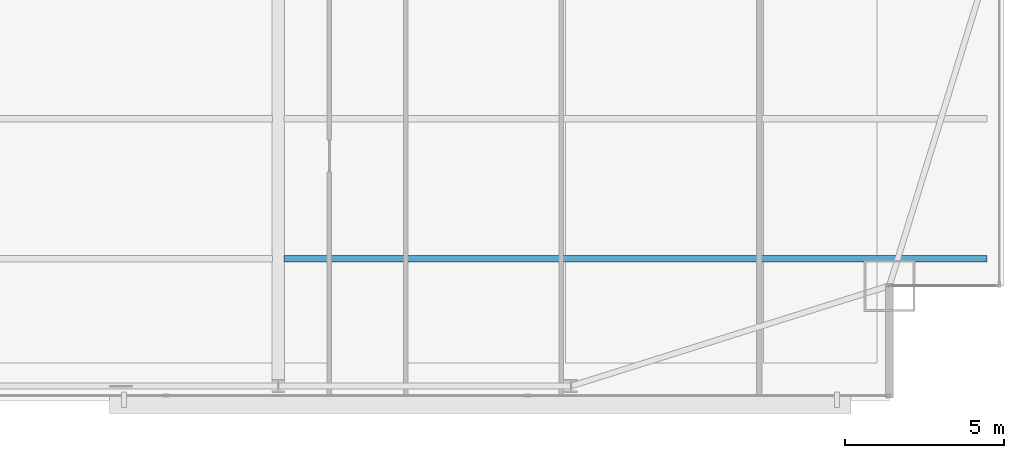
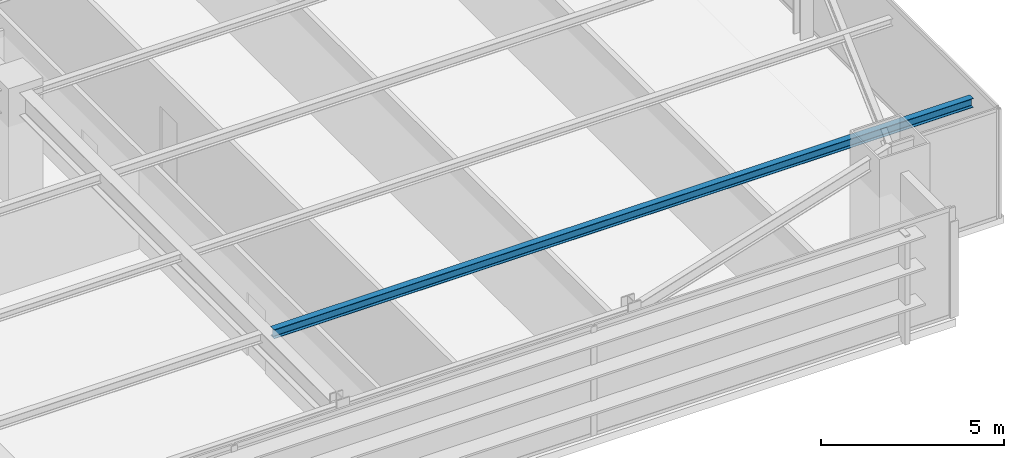
# One storey, part 15 of 32: 1 beam.
"""IFC4 building model written with IfcOpenShell, lengths in metres."""

from ifc_helpers import new_model, si_unit, direction, frame, origin, origin_2d, place, context, subcontext, project, spatial, i_section, extrude, source, transform, mapped, material, material_profile, profile_set, type_object, type_shapes, element, save


model = new_model("IFC4")

# Units and contexts
model_context = context("Model", 3, precision=1e-05, world=origin(), true_north=direction((0.0, 1.0)))
body_context = subcontext(model_context, "Body", "Model", "MODEL_VIEW")
ifc_project = project(units=[si_unit("LENGTHUNIT", "METRE"), si_unit("AREAUNIT", "SQUARE_METRE"), si_unit("VOLUMEUNIT", "CUBIC_METRE"), si_unit("PLANEANGLEUNIT", "RADIAN"), si_unit("MASSUNIT", "GRAM", prefix="KILO")], contexts=[model_context])

# Site, building, storey
site_placement = place(None, origin())
site = spatial("IfcSite", under=ifc_project, at=site_placement, CompositionType="ELEMENT")
building_placement = place(site_placement, origin())
building = spatial("IfcBuilding", under=site, at=building_placement, Name="Varnel Quay Broadcast Tower", CompositionType="ELEMENT")
storey_placement = place(building_placement, frame((0.0, 0.0, 70.5)))
storey = spatial("IfcBuildingStorey", under=building, at=storey_placement, Name="L16", CompositionType="ELEMENT", Elevation=70.5)

# Beam
ifc_material = material(Name="Structural Steel CSA G40.21 350W", Category="steel")
ifc_material_profile = material_profile(ifc_material, i_section(OverallWidth=0.202880859375, OverallDepth=0.302978515625, WebThickness=0.007568359375, FlangeThickness=0.01318359375, FilletRadius=0.011962890625, at=origin_2d()), Name="W310X60")
ifc_profile_set = profile_set([ifc_material_profile], Name="Structural Steel CSA G40.21 350W")
beam_type = type_object("IfcBeamType", Name="Beam_W310X60", PredefinedType="JOIST", material=ifc_profile_set)
shared_shape = source(origin(), body_context, "Body", "SweptSolid", [
    extrude(i_section(OverallWidth=0.202880859375, OverallDepth=0.302978515625, WebThickness=0.007568359375, FlangeThickness=0.01318359375, FilletRadius=0.011962890625, at=origin_2d()), origin(), (0.0, 0.0, 1.0), 22.0791015625),
])
type_shapes(beam_type, [shared_shape])
beam_placement = place(storey_placement, frame((43.385498046875, 5.64990234375, 3.49853515625), z_axis=(1.0, 0.0, 0.0), x_axis=(0.0, 1.0, 0.0)))
element("IfcBeam", 1, at=beam_placement, inside=storey, type_object=beam_type, Name="L16 East Floor Joist 1", PredefinedType="JOIST", context=body_context, shape_type="MappedRepresentation", body=[
    mapped(shared_shape, transform((0.0, 0.0, 0.0), x_axis=(1.0, 0.0, 0.0), y_axis=(0.0, 1.0, 0.0), z_axis=(0.0, 0.0, 1.0), scale=1.0)),
])

save(model, "model.ifc")
